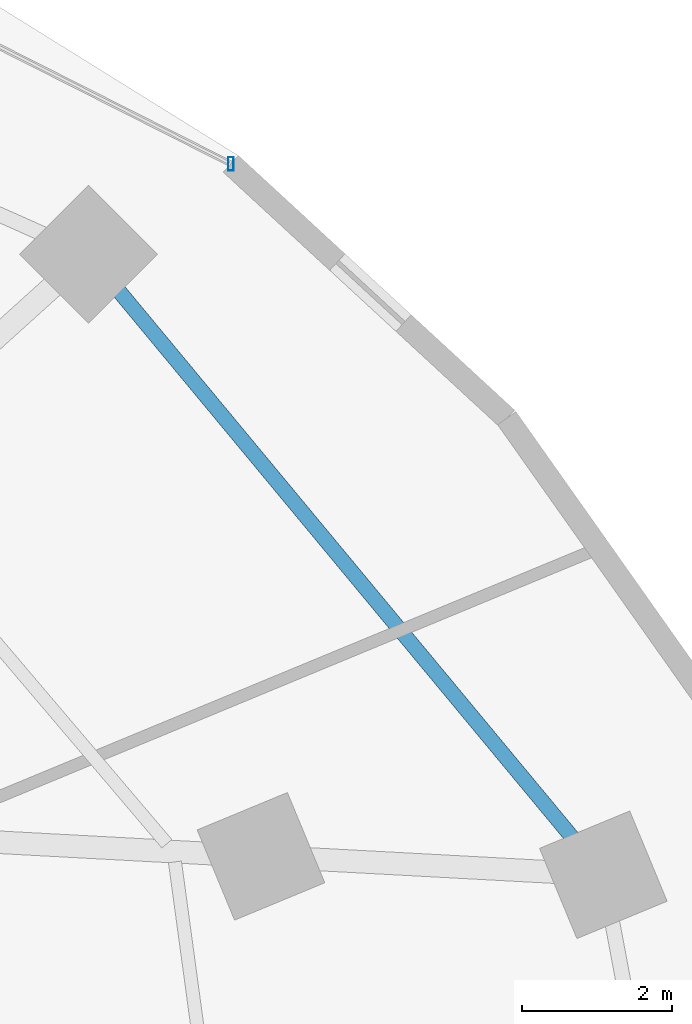
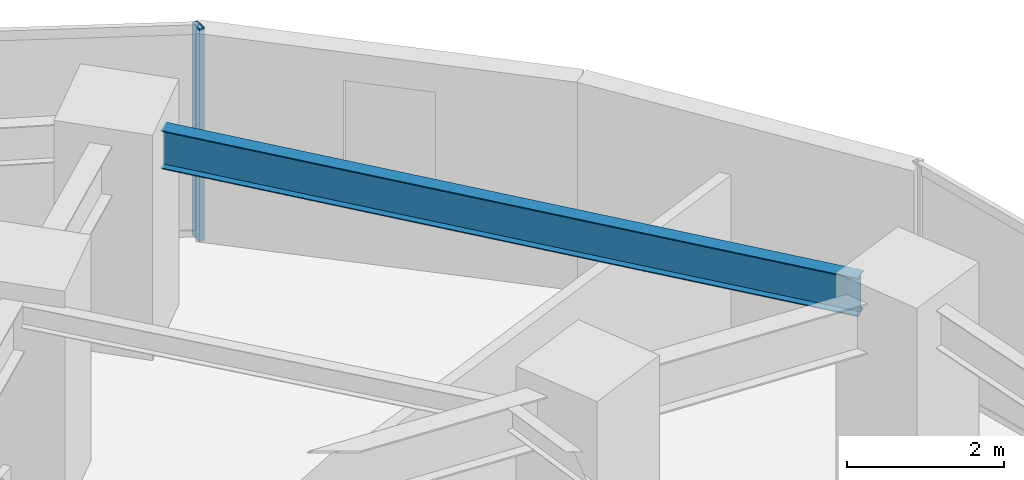
# One storey, part 25 of 36: 1 beam, 1 member, 1 element without a shape of its own.
"""IFC4 building model written with IfcOpenShell, lengths in metres."""

from ifc_helpers import new_model, si_unit, direction, frame, origin, origin_2d, place, context, subcontext, project, spatial, hollow_rectangle, i_section, extrude, material, material_profile, profile_set, type_object, element, aggregate, save


model = new_model("IFC4")

# Units and contexts
model_context = context("Model", 3, precision=1e-05, world=origin(), true_north=direction((0.0, 1.0)))
body_context = subcontext(model_context, "Body", "Model", "MODEL_VIEW")
ifc_project = project(units=[si_unit("LENGTHUNIT", "METRE"), si_unit("AREAUNIT", "SQUARE_METRE"), si_unit("VOLUMEUNIT", "CUBIC_METRE"), si_unit("PLANEANGLEUNIT", "RADIAN"), si_unit("MASSUNIT", "GRAM", prefix="KILO")], contexts=[model_context])

# Site, building, storey
site_placement = place(None, origin())
site = spatial("IfcSite", under=ifc_project, at=site_placement, CompositionType="ELEMENT")
building_placement = place(site_placement, origin())
building = spatial("IfcBuilding", under=site, at=building_placement, Name="Vorneva Point Tower", CompositionType="ELEMENT")
storey_placement = place(building_placement, frame((0.0, 0.0, 24.0)))
storey = spatial("IfcBuildingStorey", under=building, at=storey_placement, Name="L05", CompositionType="ELEMENT", Elevation=24.0)

# Beam
ifc_material_1 = material(Name="Steel S355", Category="steel")
ifc_material_profile_1 = material_profile(ifc_material_1, i_section(OverallWidth=0.198974609375, OverallDepth=0.595947265625, WebThickness=0.010009765625, FlangeThickness=0.014892578125, at=origin_2d()), Name="60B1")
ifc_profile_set_1 = profile_set([ifc_material_profile_1], Name="Steel S355")
beam_type = type_object("IfcBeamType", Name="BM-SPN-60B1", PredefinedType="SPANDREL", material=ifc_profile_set_1)
beam_placement = place(storey_placement, frame((63.448974609375, 32.825439453125, 2.94189453125), z_axis=(-0.638610485359, 0.769530147551, 0.0), x_axis=(-0.769530147551, -0.638610485359, 0.0)))
element("IfcBeam", 1, at=beam_placement, inside=storey, type_object=beam_type, Name="L05 Perimeter Spandrel Ring Beam 02", PredefinedType="SPANDREL", context=body_context, shape_type="SweptSolid", body=[
    extrude(i_section(OverallWidth=0.198974609375, OverallDepth=0.595947265625, WebThickness=0.010009765625, FlangeThickness=0.014892578125, at=origin_2d()), origin(), (0.0, 0.0, 1.0), 9.4677734375),
])

# Curtain wall, member
ifc_material_2 = material(Name="Pale anodised aluminium", Category="aluminium")
curtain_wall_type = type_object("IfcCurtainWallType", Name="CW-HTL-SYS", PredefinedType="NOTDEFINED", material=ifc_material_2)
curtain_wall_placement = place(storey_placement, origin())
curtain_wall = element("IfcCurtainWall", 2, at=curtain_wall_placement, inside=storey, type_object=curtain_wall_type, Name="L05 Unitised Curtain Wall CW-L05-R02", PredefinedType="NOTDEFINED")
ifc_material_profile_2 = material_profile(ifc_material_2, hollow_rectangle(XDim=0.074951171875, YDim=0.179931640625, WallThickness=0.00390625, at=origin_2d()), Name="AL-MUL 180x75x4")
ifc_profile_set_2 = profile_set([ifc_material_profile_2], Name="Pale anodised aluminium")
member_type = type_object("IfcMemberType", Name="CW-MUL-180", PredefinedType="MULLION", material=ifc_profile_set_2)
member_placement = place(storey_placement, frame((58.89501953125, 41.8037109375, -0.0400390625), z_axis=(0.0, 0.0, 1.0), x_axis=(1.0, 0.0, 0.0)))
member = element("IfcMember", 3, at=member_placement, type_object=member_type, Name="CW-L05-R02 Mullion 01", PredefinedType="MULLION", context=body_context, shape_type="SweptSolid", body=[
    extrude(hollow_rectangle(XDim=0.074951171875, YDim=0.179931640625, WallThickness=0.00390625, at=origin_2d()), origin(), (0.0, 0.0, 1.0), 3.31005859375),
])
aggregate(curtain_wall, [member])

save(model, "model.ifc")
